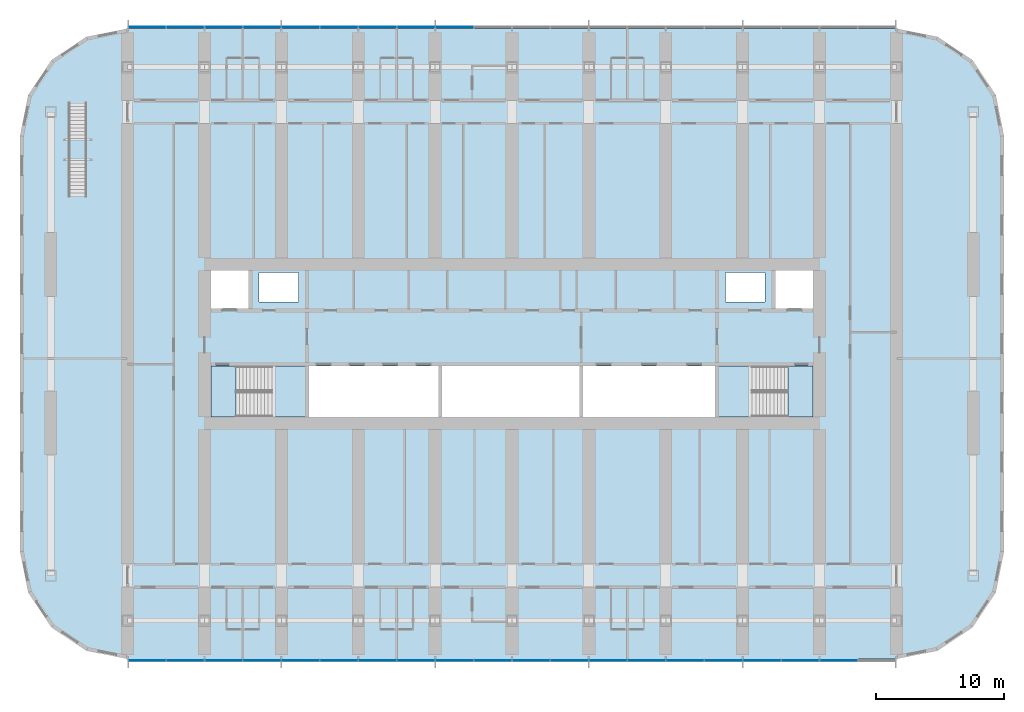
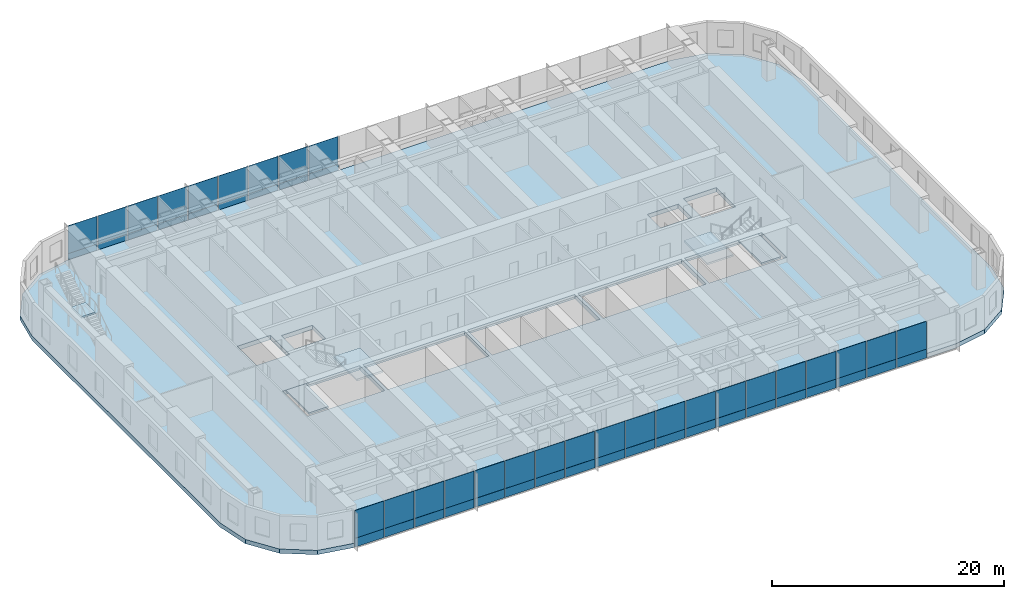
# One storey, part 10 of 26: 56 plates, 6 slabs, 5 elements without a shape of their own.
"""IFC4 building model written with IfcOpenShell, lengths in metres."""

from ifc_helpers import new_model, si_unit, direction, frame, origin, origin_2d, place, context, subcontext, project, spatial, polyline, rectangle, outline, extrude, material, layer, layer_set, type_object, element, aggregate, save


model = new_model("IFC4")

# Units and contexts
model_context = context("Model", 3, precision=1e-05, world=origin(), true_north=direction((0.0, 1.0)))
body_context = subcontext(model_context, "Body", "Model", "MODEL_VIEW")
ifc_project = project(units=[si_unit("LENGTHUNIT", "METRE"), si_unit("AREAUNIT", "SQUARE_METRE"), si_unit("VOLUMEUNIT", "CUBIC_METRE"), si_unit("PLANEANGLEUNIT", "RADIAN"), si_unit("MASSUNIT", "GRAM", prefix="KILO")], contexts=[model_context])

# Site, building, storey
site_placement = place(None, origin())
site = spatial("IfcSite", under=ifc_project, at=site_placement, CompositionType="ELEMENT")
building_placement = place(site_placement, origin())
building = spatial("IfcBuilding", under=site, at=building_placement, Name="Orbita Commons", CompositionType="ELEMENT")
storey_placement = place(building_placement, frame((0.0, 0.0, 53.949951171875)))
storey = spatial("IfcBuildingStorey", under=building, at=storey_placement, Name="L13", CompositionType="ELEMENT", Elevation=53.949951171875)

# Stair, slab
ifc_material_1 = material(Name="Steel ASTM A992 stringers, precast concrete C40/50 terrazzo treads", Category="concrete")
stair_type_1 = type_object("IfcStairType", Name="Feature stair 22 risers 170 x 280 x 1400", PredefinedType="STRAIGHT_RUN_STAIR", material=ifc_material_1)
stair_1_placement = place(storey_placement, origin())
stair_1 = element("IfcStair", 1, at=stair_1_placement, inside=storey, type_object=stair_type_1, Name="Neighbourhood stair L13 to L14", PredefinedType="STRAIGHT_RUN_STAIR")
ifc_material_2 = material(Name="Concrete C40/50", Category="concrete")
ifc_layer_1 = layer(ifc_material_2, 0.199951171875)
ifc_layer_set_1 = layer_set([ifc_layer_1], Name="Concrete C40/50")
slab_type_1 = type_object("IfcSlabType", Name="Feature stair landing 200", PredefinedType="LANDING", material=ifc_layer_set_1)
slab_1_placement = place(storey_placement, frame((0.0, 0.0, 1.675048828125)))
slab_1 = element("IfcSlab", 2, at=slab_1_placement, type_object=slab_type_1, Name="FS landing 1", PredefinedType="LANDING", context=body_context, shape_type="SweptSolid", body=[
    extrude(outline(polyline([(7.39990234375, 46.300048828125), (8.800048828125, 46.300048828125), (8.800048828125, 48.010009765625), (7.39990234375, 48.010009765625), (7.39990234375, 46.300048828125)])), origin(), (0.0, 0.0, 1.0), 0.199951171875),
])
aggregate(stair_1, [slab_1])

# Slab
ifc_material_3 = material(Name="Concrete C40/50", Category="concrete")
ifc_layer_2 = layer(ifc_material_3, 0.449951171875)
ifc_layer_set_2 = layer_set([ifc_layer_2], Name="Concrete C40/50")
slab_type_2 = type_object("IfcSlabType", Name="Floor slab 450", PredefinedType="FLOOR", material=ifc_layer_set_2)
slab_2_placement = place(storey_placement, frame((0.0, 0.0, -0.449951171875)))
element("IfcSlab", 3, at=slab_2_placement, inside=storey, type_object=slab_type_2, Name="Floor slab L13", PredefinedType="FLOOR", context=body_context, shape_type="SweptSolid", body=[
    extrude(outline(polyline([(72.0, 7.39990234375), (75.214599609375, 8.039306640625), (77.939697265625, 9.8603515625), (79.760498046875, 12.58544921875), (80.39990234375, 15.800048828125), (80.39990234375, 48.199951171875), (79.760498046875, 51.41455078125), (77.939697265625, 54.1396484375), (75.214599609375, 55.960693359375), (72.0, 56.60009765625), (12.0, 56.60009765625), (8.785400390625, 55.960693359375), (6.060302734375, 54.1396484375), (4.239501953125, 51.41455078125), (3.60009765625, 48.199951171875), (3.60009765625, 15.800048828125), (4.239501953125, 12.58544921875), (6.060302734375, 9.8603515625), (8.785400390625, 8.039306640625), (12.0, 7.39990234375), (72.0, 7.39990234375)]), holes=[polyline([(18.14990234375, 25.949951171875), (25.85009765625, 25.949951171875), (25.85009765625, 30.25), (18.14990234375, 30.25), (18.14990234375, 25.949951171875)]), polyline([(58.14990234375, 25.949951171875), (65.85009765625, 25.949951171875), (65.85009765625, 30.25), (58.14990234375, 30.25), (58.14990234375, 25.949951171875)]), polyline([(18.14990234375, 34.75), (21.449951171875, 34.75), (21.449951171875, 38.050048828125), (18.14990234375, 38.050048828125), (18.14990234375, 34.75)]), polyline([(62.550048828125, 34.75), (65.85009765625, 34.75), (65.85009765625, 38.050048828125), (62.550048828125, 38.050048828125), (62.550048828125, 34.75)]), polyline([(22.25, 35.25), (25.35009765625, 35.25), (25.35009765625, 37.550048828125), (22.25, 37.550048828125), (22.25, 35.25)]), polyline([(58.64990234375, 35.25), (61.75, 35.25), (61.75, 37.550048828125), (58.64990234375, 37.550048828125), (58.64990234375, 35.25)]), polyline([(26.14990234375, 25.949951171875), (36.25, 25.949951171875), (36.25, 30.25), (26.14990234375, 30.25), (26.14990234375, 25.949951171875)]), polyline([(36.550048828125, 25.949951171875), (47.25, 25.949951171875), (47.25, 30.25), (36.550048828125, 30.25), (36.550048828125, 25.949951171875)]), polyline([(47.550048828125, 25.949951171875), (57.85009765625, 25.949951171875), (57.85009765625, 30.25), (47.550048828125, 30.25), (47.550048828125, 25.949951171875)])]), origin(), (0.0, 0.0, 1.0), 0.449951171875),
])

# Curtain wall, plates
ifc_material_4 = material(Name="Anodised aluminium frame, pale silver", Category="aluminium")
curtain_wall_type = type_object("IfcCurtainWallType", Name="Unitised curtain wall CW-T, vision and spandrel", PredefinedType="NOTDEFINED", material=ifc_material_4)
curtain_wall_1_placement = place(storey_placement, origin())
curtain_wall_1 = element("IfcCurtainWall", 4, at=curtain_wall_1_placement, inside=storey, type_object=curtain_wall_type, Name="Curtain wall south L13", PredefinedType="NOTDEFINED")
ifc_material_5 = material(Name="Anodised aluminium sheet on mineral wool", Category="aluminium")
ifc_layer_3 = layer(ifc_material_5, 0.050048828125)
ifc_layer_set_3 = layer_set([ifc_layer_3], Name="Anodised aluminium sheet on mineral wool")
plate_type_1 = type_object("IfcPlateType", Name="Spandrel panel, pale aluminium over insulation 50", PredefinedType="CURTAIN_PANEL", material=ifc_layer_set_3)
plate_1_placement = place(storey_placement, frame((13.52001953125, 7.2900390625, -0.35009765625), z_axis=(0.0, 0.0, 1.0), x_axis=(1.0, 0.0, 0.0)))
plate_1 = element("IfcPlate", 5, at=plate_1_placement, type_object=plate_type_1, Name="Panel 1.1 CW-L13-S", PredefinedType="CURTAIN_PANEL", context=body_context, shape_type="SweptSolid", body=[
    extrude(rectangle(XDim=2.8798828125, YDim=0.050048828125, at=origin_2d()), origin(), (0.0, 0.0, 1.0), 0.927001953125),
])
plate_2_placement = place(storey_placement, frame((16.5, 7.2900390625, -0.35009765625), z_axis=(0.0, 0.0, 1.0), x_axis=(1.0, 0.0, 0.0)))
plate_2 = element("IfcPlate", 6, at=plate_2_placement, type_object=plate_type_1, Name="Panel 2.1 CW-L13-S", PredefinedType="CURTAIN_PANEL", context=body_context, shape_type="SweptSolid", body=[
    extrude(rectangle(XDim=2.919921875, YDim=0.050048828125, at=origin_2d()), origin(), (0.0, 0.0, 1.0), 0.927001953125),
])
plate_3_placement = place(storey_placement, frame((19.5, 7.2900390625, -0.35009765625), z_axis=(0.0, 0.0, 1.0), x_axis=(1.0, 0.0, 0.0)))
plate_3 = element("IfcPlate", 7, at=plate_3_placement, type_object=plate_type_1, Name="Panel 3.1 CW-L13-S", PredefinedType="CURTAIN_PANEL", context=body_context, shape_type="SweptSolid", body=[
    extrude(rectangle(XDim=2.919921875, YDim=0.050048828125, at=origin_2d()), origin(), (0.0, 0.0, 1.0), 0.927001953125),
])
plate_4_placement = place(storey_placement, frame((22.5, 7.2900390625, -0.35009765625), z_axis=(0.0, 0.0, 1.0), x_axis=(1.0, 0.0, 0.0)))
plate_4 = element("IfcPlate", 8, at=plate_4_placement, type_object=plate_type_1, Name="Panel 4.1 CW-L13-S", PredefinedType="CURTAIN_PANEL", context=body_context, shape_type="SweptSolid", body=[
    extrude(rectangle(XDim=2.919921875, YDim=0.050048828125, at=origin_2d()), origin(), (0.0, 0.0, 1.0), 0.927001953125),
])
plate_5_placement = place(storey_placement, frame((25.5, 7.2900390625, -0.35009765625), z_axis=(0.0, 0.0, 1.0), x_axis=(1.0, 0.0, 0.0)))
plate_5 = element("IfcPlate", 9, at=plate_5_placement, type_object=plate_type_1, Name="Panel 5.1 CW-L13-S", PredefinedType="CURTAIN_PANEL", context=body_context, shape_type="SweptSolid", body=[
    extrude(rectangle(XDim=2.919921875, YDim=0.050048828125, at=origin_2d()), origin(), (0.0, 0.0, 1.0), 0.927001953125),
])
plate_6_placement = place(storey_placement, frame((28.5, 7.2900390625, -0.35009765625), z_axis=(0.0, 0.0, 1.0), x_axis=(1.0, 0.0, 0.0)))
plate_6 = element("IfcPlate", 10, at=plate_6_placement, type_object=plate_type_1, Name="Panel 6.1 CW-L13-S", PredefinedType="CURTAIN_PANEL", context=body_context, shape_type="SweptSolid", body=[
    extrude(rectangle(XDim=2.919921875, YDim=0.050048828125, at=origin_2d()), origin(), (0.0, 0.0, 1.0), 0.927001953125),
])
plate_7_placement = place(storey_placement, frame((31.5, 7.2900390625, -0.35009765625), z_axis=(0.0, 0.0, 1.0), x_axis=(1.0, 0.0, 0.0)))
plate_7 = element("IfcPlate", 11, at=plate_7_placement, type_object=plate_type_1, Name="Panel 7.1 CW-L13-S", PredefinedType="CURTAIN_PANEL", context=body_context, shape_type="SweptSolid", body=[
    extrude(rectangle(XDim=2.919921875, YDim=0.050048828125, at=origin_2d()), origin(), (0.0, 0.0, 1.0), 0.927001953125),
])
plate_8_placement = place(storey_placement, frame((34.5, 7.2900390625, -0.35009765625), z_axis=(0.0, 0.0, 1.0), x_axis=(1.0, 0.0, 0.0)))
plate_8 = element("IfcPlate", 12, at=plate_8_placement, type_object=plate_type_1, Name="Panel 8.1 CW-L13-S", PredefinedType="CURTAIN_PANEL", context=body_context, shape_type="SweptSolid", body=[
    extrude(rectangle(XDim=2.919921875, YDim=0.050048828125, at=origin_2d()), origin(), (0.0, 0.0, 1.0), 0.927001953125),
])
plate_9_placement = place(storey_placement, frame((37.5, 7.2900390625, -0.35009765625), z_axis=(0.0, 0.0, 1.0), x_axis=(1.0, 0.0, 0.0)))
plate_9 = element("IfcPlate", 13, at=plate_9_placement, type_object=plate_type_1, Name="Panel 9.1 CW-L13-S", PredefinedType="CURTAIN_PANEL", context=body_context, shape_type="SweptSolid", body=[
    extrude(rectangle(XDim=2.919921875, YDim=0.050048828125, at=origin_2d()), origin(), (0.0, 0.0, 1.0), 0.927001953125),
])
plate_10_placement = place(storey_placement, frame((40.5, 7.2900390625, -0.35009765625), z_axis=(0.0, 0.0, 1.0), x_axis=(1.0, 0.0, 0.0)))
plate_10 = element("IfcPlate", 14, at=plate_10_placement, type_object=plate_type_1, Name="Panel 10.1 CW-L13-S", PredefinedType="CURTAIN_PANEL", context=body_context, shape_type="SweptSolid", body=[
    extrude(rectangle(XDim=2.919921875, YDim=0.050048828125, at=origin_2d()), origin(), (0.0, 0.0, 1.0), 0.927001953125),
])
plate_11_placement = place(storey_placement, frame((43.5, 7.2900390625, -0.35009765625), z_axis=(0.0, 0.0, 1.0), x_axis=(1.0, 0.0, 0.0)))
plate_11 = element("IfcPlate", 15, at=plate_11_placement, type_object=plate_type_1, Name="Panel 11.1 CW-L13-S", PredefinedType="CURTAIN_PANEL", context=body_context, shape_type="SweptSolid", body=[
    extrude(rectangle(XDim=2.919921875, YDim=0.050048828125, at=origin_2d()), origin(), (0.0, 0.0, 1.0), 0.927001953125),
])
plate_12_placement = place(storey_placement, frame((46.5, 7.2900390625, -0.35009765625), z_axis=(0.0, 0.0, 1.0), x_axis=(1.0, 0.0, 0.0)))
plate_12 = element("IfcPlate", 16, at=plate_12_placement, type_object=plate_type_1, Name="Panel 12.1 CW-L13-S", PredefinedType="CURTAIN_PANEL", context=body_context, shape_type="SweptSolid", body=[
    extrude(rectangle(XDim=2.919921875, YDim=0.050048828125, at=origin_2d()), origin(), (0.0, 0.0, 1.0), 0.927001953125),
])
plate_13_placement = place(storey_placement, frame((49.5, 7.2900390625, -0.35009765625), z_axis=(0.0, 0.0, 1.0), x_axis=(1.0, 0.0, 0.0)))
plate_13 = element("IfcPlate", 17, at=plate_13_placement, type_object=plate_type_1, Name="Panel 13.1 CW-L13-S", PredefinedType="CURTAIN_PANEL", context=body_context, shape_type="SweptSolid", body=[
    extrude(rectangle(XDim=2.919921875, YDim=0.050048828125, at=origin_2d()), origin(), (0.0, 0.0, 1.0), 0.927001953125),
])
plate_14_placement = place(storey_placement, frame((52.5, 7.2900390625, -0.35009765625), z_axis=(0.0, 0.0, 1.0), x_axis=(1.0, 0.0, 0.0)))
plate_14 = element("IfcPlate", 18, at=plate_14_placement, type_object=plate_type_1, Name="Panel 14.1 CW-L13-S", PredefinedType="CURTAIN_PANEL", context=body_context, shape_type="SweptSolid", body=[
    extrude(rectangle(XDim=2.919921875, YDim=0.050048828125, at=origin_2d()), origin(), (0.0, 0.0, 1.0), 0.927001953125),
])
plate_15_placement = place(storey_placement, frame((55.5, 7.2900390625, -0.35009765625), z_axis=(0.0, 0.0, 1.0), x_axis=(1.0, 0.0, 0.0)))
plate_15 = element("IfcPlate", 19, at=plate_15_placement, type_object=plate_type_1, Name="Panel 15.1 CW-L13-S", PredefinedType="CURTAIN_PANEL", context=body_context, shape_type="SweptSolid", body=[
    extrude(rectangle(XDim=2.919921875, YDim=0.050048828125, at=origin_2d()), origin(), (0.0, 0.0, 1.0), 0.927001953125),
])
plate_16_placement = place(storey_placement, frame((58.5, 7.2900390625, -0.35009765625), z_axis=(0.0, 0.0, 1.0), x_axis=(1.0, 0.0, 0.0)))
plate_16 = element("IfcPlate", 20, at=plate_16_placement, type_object=plate_type_1, Name="Panel 16.1 CW-L13-S", PredefinedType="CURTAIN_PANEL", context=body_context, shape_type="SweptSolid", body=[
    extrude(rectangle(XDim=2.919921875, YDim=0.050048828125, at=origin_2d()), origin(), (0.0, 0.0, 1.0), 0.927001953125),
])
plate_17_placement = place(storey_placement, frame((61.5, 7.2900390625, -0.35009765625), z_axis=(0.0, 0.0, 1.0), x_axis=(1.0, 0.0, 0.0)))
plate_17 = element("IfcPlate", 21, at=plate_17_placement, type_object=plate_type_1, Name="Panel 17.1 CW-L13-S", PredefinedType="CURTAIN_PANEL", context=body_context, shape_type="SweptSolid", body=[
    extrude(rectangle(XDim=2.919921875, YDim=0.050048828125, at=origin_2d()), origin(), (0.0, 0.0, 1.0), 0.927001953125),
])
plate_18_placement = place(storey_placement, frame((64.5, 7.2900390625, -0.35009765625), z_axis=(0.0, 0.0, 1.0), x_axis=(1.0, 0.0, 0.0)))
plate_18 = element("IfcPlate", 22, at=plate_18_placement, type_object=plate_type_1, Name="Panel 18.1 CW-L13-S", PredefinedType="CURTAIN_PANEL", context=body_context, shape_type="SweptSolid", body=[
    extrude(rectangle(XDim=2.919921875, YDim=0.050048828125, at=origin_2d()), origin(), (0.0, 0.0, 1.0), 0.927001953125),
])
plate_19_placement = place(storey_placement, frame((67.5, 7.2900390625, -0.35009765625), z_axis=(0.0, 0.0, 1.0), x_axis=(1.0, 0.0, 0.0)))
plate_19 = element("IfcPlate", 23, at=plate_19_placement, type_object=plate_type_1, Name="Panel 19.1 CW-L13-S", PredefinedType="CURTAIN_PANEL", context=body_context, shape_type="SweptSolid", body=[
    extrude(rectangle(XDim=2.919921875, YDim=0.050048828125, at=origin_2d()), origin(), (0.0, 0.0, 1.0), 0.927001953125),
])

curtain_wall_2_placement = place(storey_placement, origin())
curtain_wall_2 = element("IfcCurtainWall", 24, at=curtain_wall_2_placement, inside=storey, type_object=curtain_wall_type, Name="Curtain wall north L13", PredefinedType="NOTDEFINED")
plate_20_placement = place(storey_placement, frame((37.5, 56.7099609375, -0.35009765625), z_axis=(0.0, 0.0, 1.0), x_axis=(-1.0, 0.0, 0.0)))
plate_20 = element("IfcPlate", 25, at=plate_20_placement, type_object=plate_type_1, Name="Panel 12.1 CW-L13-N", PredefinedType="CURTAIN_PANEL", context=body_context, shape_type="SweptSolid", body=[
    extrude(rectangle(XDim=2.919921875, YDim=0.050048828125, at=origin_2d()), origin(), (0.0, 0.0, 1.0), 0.927001953125),
])
plate_21_placement = place(storey_placement, frame((34.5, 56.7099609375, -0.35009765625), z_axis=(0.0, 0.0, 1.0), x_axis=(-1.0, 0.0, 0.0)))
plate_21 = element("IfcPlate", 26, at=plate_21_placement, type_object=plate_type_1, Name="Panel 13.1 CW-L13-N", PredefinedType="CURTAIN_PANEL", context=body_context, shape_type="SweptSolid", body=[
    extrude(rectangle(XDim=2.919921875, YDim=0.050048828125, at=origin_2d()), origin(), (0.0, 0.0, 1.0), 0.927001953125),
])
plate_22_placement = place(storey_placement, frame((31.5, 56.7099609375, -0.35009765625), z_axis=(0.0, 0.0, 1.0), x_axis=(-1.0, 0.0, 0.0)))
plate_22 = element("IfcPlate", 27, at=plate_22_placement, type_object=plate_type_1, Name="Panel 14.1 CW-L13-N", PredefinedType="CURTAIN_PANEL", context=body_context, shape_type="SweptSolid", body=[
    extrude(rectangle(XDim=2.919921875, YDim=0.050048828125, at=origin_2d()), origin(), (0.0, 0.0, 1.0), 0.927001953125),
])
plate_23_placement = place(storey_placement, frame((28.5, 56.7099609375, -0.35009765625), z_axis=(0.0, 0.0, 1.0), x_axis=(-1.0, 0.0, 0.0)))
plate_23 = element("IfcPlate", 28, at=plate_23_placement, type_object=plate_type_1, Name="Panel 15.1 CW-L13-N", PredefinedType="CURTAIN_PANEL", context=body_context, shape_type="SweptSolid", body=[
    extrude(rectangle(XDim=2.919921875, YDim=0.050048828125, at=origin_2d()), origin(), (0.0, 0.0, 1.0), 0.927001953125),
])
plate_24_placement = place(storey_placement, frame((25.5, 56.7099609375, -0.35009765625), z_axis=(0.0, 0.0, 1.0), x_axis=(-1.0, 0.0, 0.0)))
plate_24 = element("IfcPlate", 29, at=plate_24_placement, type_object=plate_type_1, Name="Panel 16.1 CW-L13-N", PredefinedType="CURTAIN_PANEL", context=body_context, shape_type="SweptSolid", body=[
    extrude(rectangle(XDim=2.919921875, YDim=0.050048828125, at=origin_2d()), origin(), (0.0, 0.0, 1.0), 0.927001953125),
])
plate_25_placement = place(storey_placement, frame((22.5, 56.7099609375, -0.35009765625), z_axis=(0.0, 0.0, 1.0), x_axis=(-1.0, 0.0, 0.0)))
plate_25 = element("IfcPlate", 30, at=plate_25_placement, type_object=plate_type_1, Name="Panel 17.1 CW-L13-N", PredefinedType="CURTAIN_PANEL", context=body_context, shape_type="SweptSolid", body=[
    extrude(rectangle(XDim=2.919921875, YDim=0.050048828125, at=origin_2d()), origin(), (0.0, 0.0, 1.0), 0.927001953125),
])
plate_26_placement = place(storey_placement, frame((19.5, 56.7099609375, -0.35009765625), z_axis=(0.0, 0.0, 1.0), x_axis=(-1.0, 0.0, 0.0)))
plate_26 = element("IfcPlate", 31, at=plate_26_placement, type_object=plate_type_1, Name="Panel 18.1 CW-L13-N", PredefinedType="CURTAIN_PANEL", context=body_context, shape_type="SweptSolid", body=[
    extrude(rectangle(XDim=2.919921875, YDim=0.050048828125, at=origin_2d()), origin(), (0.0, 0.0, 1.0), 0.927001953125),
])
plate_27_placement = place(storey_placement, frame((16.5, 56.7099609375, -0.35009765625), z_axis=(0.0, 0.0, 1.0), x_axis=(-1.0, 0.0, 0.0)))
plate_27 = element("IfcPlate", 32, at=plate_27_placement, type_object=plate_type_1, Name="Panel 19.1 CW-L13-N", PredefinedType="CURTAIN_PANEL", context=body_context, shape_type="SweptSolid", body=[
    extrude(rectangle(XDim=2.919921875, YDim=0.050048828125, at=origin_2d()), origin(), (0.0, 0.0, 1.0), 0.927001953125),
])
plate_28_placement = place(storey_placement, frame((13.52001953125, 56.7099609375, -0.35009765625), z_axis=(0.0, 0.0, 1.0), x_axis=(-1.0, 0.0, 0.0)))
plate_28 = element("IfcPlate", 33, at=plate_28_placement, type_object=plate_type_1, Name="Panel 20.1 CW-L13-N", PredefinedType="CURTAIN_PANEL", context=body_context, shape_type="SweptSolid", body=[
    extrude(rectangle(XDim=2.8798828125, YDim=0.050048828125, at=origin_2d()), origin(), (0.0, 0.0, 1.0), 0.927001953125),
])

# Stair, slabs
ifc_material_6 = material(Name="Precast concrete C40/50", Category="concrete")
stair_type_2 = type_object("IfcStairType", Name="Exit stair S1 2 flights 11 risers 170", PredefinedType="HALF_TURN_STAIR", material=ifc_material_6)
stair_2_placement = place(storey_placement, origin())
stair_2 = element("IfcStair", 34, at=stair_2_placement, inside=storey, type_object=stair_type_2, Name="Exit stair S1 L13", PredefinedType="HALF_TURN_STAIR")
ifc_material_7 = material(Name="Concrete C40/50", Category="concrete")
ifc_layer_4 = layer(ifc_material_7, 0.199951171875)
ifc_layer_set_4 = layer_set([ifc_layer_4], Name="Concrete C40/50")
slab_type_3 = type_object("IfcSlabType", Name="Stair landing 200", PredefinedType="LANDING", material=ifc_layer_set_4)
slab_3_placement = place(storey_placement, frame((0.0, 0.0, -0.199951171875)))
slab_3 = element("IfcSlab", 35, at=slab_3_placement, type_object=slab_type_3, Name="S1 landing 1", PredefinedType="LANDING", context=body_context, shape_type="SweptSolid", body=[
    extrude(outline(polyline([(18.5, 26.300048828125), (20.449951171875, 26.300048828125), (20.449951171875, 30.25), (18.5, 30.25), (18.5, 26.300048828125)])), origin(), (0.0, 0.0, 1.0), 0.199951171875),
])
slab_4_placement = place(storey_placement, frame((0.0, 0.0, 1.675048828125)))
slab_4 = element("IfcSlab", 36, at=slab_4_placement, type_object=slab_type_3, Name="S1 landing 2", PredefinedType="LANDING", context=body_context, shape_type="SweptSolid", body=[
    extrude(outline(polyline([(23.25, 26.284912109375), (25.864990234375, 26.284912109375), (25.864990234375, 30.264892578125), (23.25, 30.264892578125), (23.25, 26.284912109375)])), origin(), (0.0, 0.0, 1.0), 0.199951171875),
])
aggregate(stair_2, [slab_3, slab_4])

ifc_material_8 = material(Name="Precast concrete C40/50", Category="concrete")
stair_type_3 = type_object("IfcStairType", Name="Exit stair S2 2 flights 11 risers 170", PredefinedType="HALF_TURN_STAIR", material=ifc_material_8)
stair_3_placement = place(storey_placement, origin())
stair_3 = element("IfcStair", 37, at=stair_3_placement, inside=storey, type_object=stair_type_3, Name="Exit stair S2 L13", PredefinedType="HALF_TURN_STAIR")
slab_5_placement = place(storey_placement, frame((0.0, 0.0, -0.199951171875)))
slab_5 = element("IfcSlab", 38, at=slab_5_placement, type_object=slab_type_3, Name="S2 landing 1", PredefinedType="LANDING", context=body_context, shape_type="SweptSolid", body=[
    extrude(outline(polyline([(63.550048828125, 26.300048828125), (65.5, 26.300048828125), (65.5, 30.25), (63.550048828125, 30.25), (63.550048828125, 26.300048828125)])), origin(), (0.0, 0.0, 1.0), 0.199951171875),
])
slab_6_placement = place(storey_placement, frame((0.0, 0.0, 1.675048828125)))
slab_6 = element("IfcSlab", 39, at=slab_6_placement, type_object=slab_type_3, Name="S2 landing 2", PredefinedType="LANDING", context=body_context, shape_type="SweptSolid", body=[
    extrude(outline(polyline([(58.135009765625, 26.284912109375), (60.75, 26.284912109375), (60.75, 30.264892578125), (58.135009765625, 30.264892578125), (58.135009765625, 26.284912109375)])), origin(), (0.0, 0.0, 1.0), 0.199951171875),
])
aggregate(stair_3, [slab_5, slab_6])

# Plate
ifc_material_9 = material(Name="Clear double glazing", Category="glass")
ifc_layer_5 = layer(ifc_material_9, 0.031982421875)
ifc_layer_set_5 = layer_set([ifc_layer_5], Name="Clear double glazing")
plate_type_2 = type_object("IfcPlateType", Name="Vision panel, clear double glazing 32", PredefinedType="CURTAIN_PANEL", material=ifc_layer_set_5)
plate_29_placement = place(storey_placement, frame((13.52001953125, 7.2900390625, 0.5771484375), z_axis=(0.0, 0.0, 1.0), x_axis=(1.0, 0.0, 0.0)))
plate_29 = element("IfcPlate", 40, at=plate_29_placement, type_object=plate_type_2, Name="Panel 1.2 CW-L13-S", PredefinedType="CURTAIN_PANEL", context=body_context, shape_type="SweptSolid", body=[
    extrude(rectangle(XDim=2.8798828125, YDim=0.031982421875, at=origin_2d()), origin(), (0.0, 0.0, 1.0), 2.923095703125),
])

plate_30_placement = place(storey_placement, frame((16.5, 7.2900390625, 0.5771484375), z_axis=(0.0, 0.0, 1.0), x_axis=(1.0, 0.0, 0.0)))
plate_30 = element("IfcPlate", 41, at=plate_30_placement, type_object=plate_type_2, Name="Panel 2.2 CW-L13-S", PredefinedType="CURTAIN_PANEL", context=body_context, shape_type="SweptSolid", body=[
    extrude(rectangle(XDim=2.919921875, YDim=0.031982421875, at=origin_2d()), origin(), (0.0, 0.0, 1.0), 2.923095703125),
])

plate_31_placement = place(storey_placement, frame((19.5, 7.2900390625, 0.5771484375), z_axis=(0.0, 0.0, 1.0), x_axis=(1.0, 0.0, 0.0)))
plate_31 = element("IfcPlate", 42, at=plate_31_placement, type_object=plate_type_2, Name="Panel 3.2 CW-L13-S", PredefinedType="CURTAIN_PANEL", context=body_context, shape_type="SweptSolid", body=[
    extrude(rectangle(XDim=2.919921875, YDim=0.031982421875, at=origin_2d()), origin(), (0.0, 0.0, 1.0), 2.923095703125),
])

plate_32_placement = place(storey_placement, frame((22.5, 7.2900390625, 0.5771484375), z_axis=(0.0, 0.0, 1.0), x_axis=(1.0, 0.0, 0.0)))
plate_32 = element("IfcPlate", 43, at=plate_32_placement, type_object=plate_type_2, Name="Panel 4.2 CW-L13-S", PredefinedType="CURTAIN_PANEL", context=body_context, shape_type="SweptSolid", body=[
    extrude(rectangle(XDim=2.919921875, YDim=0.031982421875, at=origin_2d()), origin(), (0.0, 0.0, 1.0), 2.923095703125),
])

plate_33_placement = place(storey_placement, frame((25.5, 7.2900390625, 0.5771484375), z_axis=(0.0, 0.0, 1.0), x_axis=(1.0, 0.0, 0.0)))
plate_33 = element("IfcPlate", 44, at=plate_33_placement, type_object=plate_type_2, Name="Panel 5.2 CW-L13-S", PredefinedType="CURTAIN_PANEL", context=body_context, shape_type="SweptSolid", body=[
    extrude(rectangle(XDim=2.919921875, YDim=0.031982421875, at=origin_2d()), origin(), (0.0, 0.0, 1.0), 2.923095703125),
])

plate_34_placement = place(storey_placement, frame((28.5, 7.2900390625, 0.5771484375), z_axis=(0.0, 0.0, 1.0), x_axis=(1.0, 0.0, 0.0)))
plate_34 = element("IfcPlate", 45, at=plate_34_placement, type_object=plate_type_2, Name="Panel 6.2 CW-L13-S", PredefinedType="CURTAIN_PANEL", context=body_context, shape_type="SweptSolid", body=[
    extrude(rectangle(XDim=2.919921875, YDim=0.031982421875, at=origin_2d()), origin(), (0.0, 0.0, 1.0), 2.923095703125),
])

plate_35_placement = place(storey_placement, frame((31.5, 7.2900390625, 0.5771484375), z_axis=(0.0, 0.0, 1.0), x_axis=(1.0, 0.0, 0.0)))
plate_35 = element("IfcPlate", 46, at=plate_35_placement, type_object=plate_type_2, Name="Panel 7.2 CW-L13-S", PredefinedType="CURTAIN_PANEL", context=body_context, shape_type="SweptSolid", body=[
    extrude(rectangle(XDim=2.919921875, YDim=0.031982421875, at=origin_2d()), origin(), (0.0, 0.0, 1.0), 2.923095703125),
])

plate_36_placement = place(storey_placement, frame((34.5, 7.2900390625, 0.5771484375), z_axis=(0.0, 0.0, 1.0), x_axis=(1.0, 0.0, 0.0)))
plate_36 = element("IfcPlate", 47, at=plate_36_placement, type_object=plate_type_2, Name="Panel 8.2 CW-L13-S", PredefinedType="CURTAIN_PANEL", context=body_context, shape_type="SweptSolid", body=[
    extrude(rectangle(XDim=2.919921875, YDim=0.031982421875, at=origin_2d()), origin(), (0.0, 0.0, 1.0), 2.923095703125),
])

plate_37_placement = place(storey_placement, frame((37.5, 7.2900390625, 0.5771484375), z_axis=(0.0, 0.0, 1.0), x_axis=(1.0, 0.0, 0.0)))
plate_37 = element("IfcPlate", 48, at=plate_37_placement, type_object=plate_type_2, Name="Panel 9.2 CW-L13-S", PredefinedType="CURTAIN_PANEL", context=body_context, shape_type="SweptSolid", body=[
    extrude(rectangle(XDim=2.919921875, YDim=0.031982421875, at=origin_2d()), origin(), (0.0, 0.0, 1.0), 2.923095703125),
])

plate_38_placement = place(storey_placement, frame((40.5, 7.2900390625, 0.5771484375), z_axis=(0.0, 0.0, 1.0), x_axis=(1.0, 0.0, 0.0)))
plate_38 = element("IfcPlate", 49, at=plate_38_placement, type_object=plate_type_2, Name="Panel 10.2 CW-L13-S", PredefinedType="CURTAIN_PANEL", context=body_context, shape_type="SweptSolid", body=[
    extrude(rectangle(XDim=2.919921875, YDim=0.031982421875, at=origin_2d()), origin(), (0.0, 0.0, 1.0), 2.923095703125),
])

plate_39_placement = place(storey_placement, frame((43.5, 7.2900390625, 0.5771484375), z_axis=(0.0, 0.0, 1.0), x_axis=(1.0, 0.0, 0.0)))
plate_39 = element("IfcPlate", 50, at=plate_39_placement, type_object=plate_type_2, Name="Panel 11.2 CW-L13-S", PredefinedType="CURTAIN_PANEL", context=body_context, shape_type="SweptSolid", body=[
    extrude(rectangle(XDim=2.919921875, YDim=0.031982421875, at=origin_2d()), origin(), (0.0, 0.0, 1.0), 2.923095703125),
])

plate_40_placement = place(storey_placement, frame((46.5, 7.2900390625, 0.5771484375), z_axis=(0.0, 0.0, 1.0), x_axis=(1.0, 0.0, 0.0)))
plate_40 = element("IfcPlate", 51, at=plate_40_placement, type_object=plate_type_2, Name="Panel 12.2 CW-L13-S", PredefinedType="CURTAIN_PANEL", context=body_context, shape_type="SweptSolid", body=[
    extrude(rectangle(XDim=2.919921875, YDim=0.031982421875, at=origin_2d()), origin(), (0.0, 0.0, 1.0), 2.923095703125),
])

plate_41_placement = place(storey_placement, frame((49.5, 7.2900390625, 0.5771484375), z_axis=(0.0, 0.0, 1.0), x_axis=(1.0, 0.0, 0.0)))
plate_41 = element("IfcPlate", 52, at=plate_41_placement, type_object=plate_type_2, Name="Panel 13.2 CW-L13-S", PredefinedType="CURTAIN_PANEL", context=body_context, shape_type="SweptSolid", body=[
    extrude(rectangle(XDim=2.919921875, YDim=0.031982421875, at=origin_2d()), origin(), (0.0, 0.0, 1.0), 2.923095703125),
])

plate_42_placement = place(storey_placement, frame((52.5, 7.2900390625, 0.5771484375), z_axis=(0.0, 0.0, 1.0), x_axis=(1.0, 0.0, 0.0)))
plate_42 = element("IfcPlate", 53, at=plate_42_placement, type_object=plate_type_2, Name="Panel 14.2 CW-L13-S", PredefinedType="CURTAIN_PANEL", context=body_context, shape_type="SweptSolid", body=[
    extrude(rectangle(XDim=2.919921875, YDim=0.031982421875, at=origin_2d()), origin(), (0.0, 0.0, 1.0), 2.923095703125),
])

plate_43_placement = place(storey_placement, frame((55.5, 7.2900390625, 0.5771484375), z_axis=(0.0, 0.0, 1.0), x_axis=(1.0, 0.0, 0.0)))
plate_43 = element("IfcPlate", 54, at=plate_43_placement, type_object=plate_type_2, Name="Panel 15.2 CW-L13-S", PredefinedType="CURTAIN_PANEL", context=body_context, shape_type="SweptSolid", body=[
    extrude(rectangle(XDim=2.919921875, YDim=0.031982421875, at=origin_2d()), origin(), (0.0, 0.0, 1.0), 2.923095703125),
])

plate_44_placement = place(storey_placement, frame((58.5, 7.2900390625, 0.5771484375), z_axis=(0.0, 0.0, 1.0), x_axis=(1.0, 0.0, 0.0)))
plate_44 = element("IfcPlate", 55, at=plate_44_placement, type_object=plate_type_2, Name="Panel 16.2 CW-L13-S", PredefinedType="CURTAIN_PANEL", context=body_context, shape_type="SweptSolid", body=[
    extrude(rectangle(XDim=2.919921875, YDim=0.031982421875, at=origin_2d()), origin(), (0.0, 0.0, 1.0), 2.923095703125),
])

plate_45_placement = place(storey_placement, frame((61.5, 7.2900390625, 0.5771484375), z_axis=(0.0, 0.0, 1.0), x_axis=(1.0, 0.0, 0.0)))
plate_45 = element("IfcPlate", 56, at=plate_45_placement, type_object=plate_type_2, Name="Panel 17.2 CW-L13-S", PredefinedType="CURTAIN_PANEL", context=body_context, shape_type="SweptSolid", body=[
    extrude(rectangle(XDim=2.919921875, YDim=0.031982421875, at=origin_2d()), origin(), (0.0, 0.0, 1.0), 2.923095703125),
])

plate_46_placement = place(storey_placement, frame((64.5, 7.2900390625, 0.5771484375), z_axis=(0.0, 0.0, 1.0), x_axis=(1.0, 0.0, 0.0)))
plate_46 = element("IfcPlate", 57, at=plate_46_placement, type_object=plate_type_2, Name="Panel 18.2 CW-L13-S", PredefinedType="CURTAIN_PANEL", context=body_context, shape_type="SweptSolid", body=[
    extrude(rectangle(XDim=2.919921875, YDim=0.031982421875, at=origin_2d()), origin(), (0.0, 0.0, 1.0), 2.923095703125),
])

plate_47_placement = place(storey_placement, frame((67.5, 7.2900390625, 0.5771484375), z_axis=(0.0, 0.0, 1.0), x_axis=(1.0, 0.0, 0.0)))
plate_47 = element("IfcPlate", 58, at=plate_47_placement, type_object=plate_type_2, Name="Panel 19.2 CW-L13-S", PredefinedType="CURTAIN_PANEL", context=body_context, shape_type="SweptSolid", body=[
    extrude(rectangle(XDim=2.919921875, YDim=0.031982421875, at=origin_2d()), origin(), (0.0, 0.0, 1.0), 2.923095703125),
])

aggregate(curtain_wall_1, [plate_1, plate_29, plate_2, plate_30, plate_3, plate_31, plate_4, plate_32, plate_5, plate_33, plate_6, plate_34, plate_7, plate_35, plate_8, plate_36, plate_9, plate_37, plate_10, plate_38, plate_11, plate_39, plate_12, plate_40, plate_13, plate_41, plate_14, plate_42, plate_15, plate_43, plate_16, plate_44, plate_17, plate_45, plate_18, plate_46, plate_19, plate_47])

plate_48_placement = place(storey_placement, frame((37.5, 56.7099609375, 0.5771484375), z_axis=(0.0, 0.0, 1.0), x_axis=(-1.0, 0.0, 0.0)))
plate_48 = element("IfcPlate", 59, at=plate_48_placement, type_object=plate_type_2, Name="Panel 12.2 CW-L13-N", PredefinedType="CURTAIN_PANEL", context=body_context, shape_type="SweptSolid", body=[
    extrude(rectangle(XDim=2.919921875, YDim=0.031982421875, at=origin_2d()), origin(), (0.0, 0.0, 1.0), 2.923095703125),
])

plate_49_placement = place(storey_placement, frame((34.5, 56.7099609375, 0.5771484375), z_axis=(0.0, 0.0, 1.0), x_axis=(-1.0, 0.0, 0.0)))
plate_49 = element("IfcPlate", 60, at=plate_49_placement, type_object=plate_type_2, Name="Panel 13.2 CW-L13-N", PredefinedType="CURTAIN_PANEL", context=body_context, shape_type="SweptSolid", body=[
    extrude(rectangle(XDim=2.919921875, YDim=0.031982421875, at=origin_2d()), origin(), (0.0, 0.0, 1.0), 2.923095703125),
])

plate_50_placement = place(storey_placement, frame((31.5, 56.7099609375, 0.5771484375), z_axis=(0.0, 0.0, 1.0), x_axis=(-1.0, 0.0, 0.0)))
plate_50 = element("IfcPlate", 61, at=plate_50_placement, type_object=plate_type_2, Name="Panel 14.2 CW-L13-N", PredefinedType="CURTAIN_PANEL", context=body_context, shape_type="SweptSolid", body=[
    extrude(rectangle(XDim=2.919921875, YDim=0.031982421875, at=origin_2d()), origin(), (0.0, 0.0, 1.0), 2.923095703125),
])

plate_51_placement = place(storey_placement, frame((28.5, 56.7099609375, 0.5771484375), z_axis=(0.0, 0.0, 1.0), x_axis=(-1.0, 0.0, 0.0)))
plate_51 = element("IfcPlate", 62, at=plate_51_placement, type_object=plate_type_2, Name="Panel 15.2 CW-L13-N", PredefinedType="CURTAIN_PANEL", context=body_context, shape_type="SweptSolid", body=[
    extrude(rectangle(XDim=2.919921875, YDim=0.031982421875, at=origin_2d()), origin(), (0.0, 0.0, 1.0), 2.923095703125),
])

plate_52_placement = place(storey_placement, frame((25.5, 56.7099609375, 0.5771484375), z_axis=(0.0, 0.0, 1.0), x_axis=(-1.0, 0.0, 0.0)))
plate_52 = element("IfcPlate", 63, at=plate_52_placement, type_object=plate_type_2, Name="Panel 16.2 CW-L13-N", PredefinedType="CURTAIN_PANEL", context=body_context, shape_type="SweptSolid", body=[
    extrude(rectangle(XDim=2.919921875, YDim=0.031982421875, at=origin_2d()), origin(), (0.0, 0.0, 1.0), 2.923095703125),
])

plate_53_placement = place(storey_placement, frame((22.5, 56.7099609375, 0.5771484375), z_axis=(0.0, 0.0, 1.0), x_axis=(-1.0, 0.0, 0.0)))
plate_53 = element("IfcPlate", 64, at=plate_53_placement, type_object=plate_type_2, Name="Panel 17.2 CW-L13-N", PredefinedType="CURTAIN_PANEL", context=body_context, shape_type="SweptSolid", body=[
    extrude(rectangle(XDim=2.919921875, YDim=0.031982421875, at=origin_2d()), origin(), (0.0, 0.0, 1.0), 2.923095703125),
])

plate_54_placement = place(storey_placement, frame((19.5, 56.7099609375, 0.5771484375), z_axis=(0.0, 0.0, 1.0), x_axis=(-1.0, 0.0, 0.0)))
plate_54 = element("IfcPlate", 65, at=plate_54_placement, type_object=plate_type_2, Name="Panel 18.2 CW-L13-N", PredefinedType="CURTAIN_PANEL", context=body_context, shape_type="SweptSolid", body=[
    extrude(rectangle(XDim=2.919921875, YDim=0.031982421875, at=origin_2d()), origin(), (0.0, 0.0, 1.0), 2.923095703125),
])

plate_55_placement = place(storey_placement, frame((16.5, 56.7099609375, 0.5771484375), z_axis=(0.0, 0.0, 1.0), x_axis=(-1.0, 0.0, 0.0)))
plate_55 = element("IfcPlate", 66, at=plate_55_placement, type_object=plate_type_2, Name="Panel 19.2 CW-L13-N", PredefinedType="CURTAIN_PANEL", context=body_context, shape_type="SweptSolid", body=[
    extrude(rectangle(XDim=2.919921875, YDim=0.031982421875, at=origin_2d()), origin(), (0.0, 0.0, 1.0), 2.923095703125),
])

plate_56_placement = place(storey_placement, frame((13.52001953125, 56.7099609375, 0.5771484375), z_axis=(0.0, 0.0, 1.0), x_axis=(-1.0, 0.0, 0.0)))
plate_56 = element("IfcPlate", 67, at=plate_56_placement, type_object=plate_type_2, Name="Panel 20.2 CW-L13-N", PredefinedType="CURTAIN_PANEL", context=body_context, shape_type="SweptSolid", body=[
    extrude(rectangle(XDim=2.8798828125, YDim=0.031982421875, at=origin_2d()), origin(), (0.0, 0.0, 1.0), 2.923095703125),
])

aggregate(curtain_wall_2, [plate_20, plate_48, plate_21, plate_49, plate_22, plate_50, plate_23, plate_51, plate_24, plate_52, plate_25, plate_53, plate_26, plate_54, plate_27, plate_55, plate_28, plate_56])

save(model, "model.ifc")
